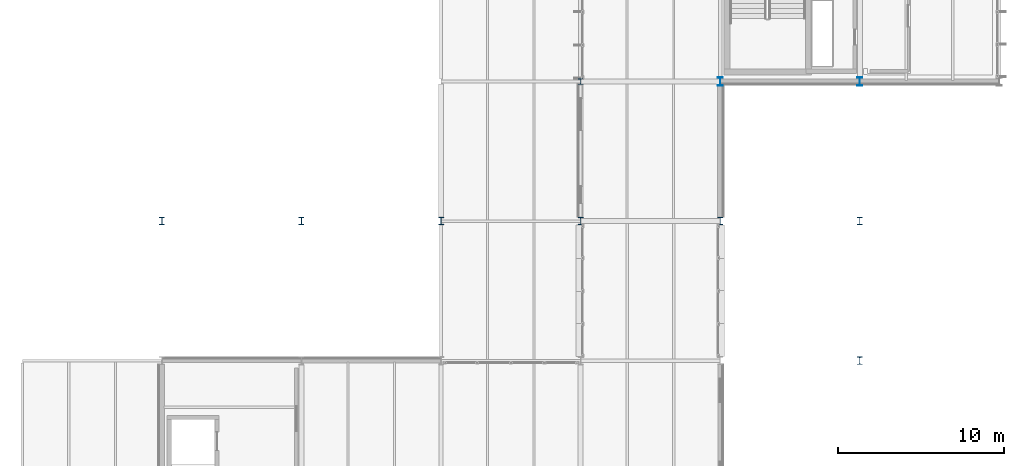
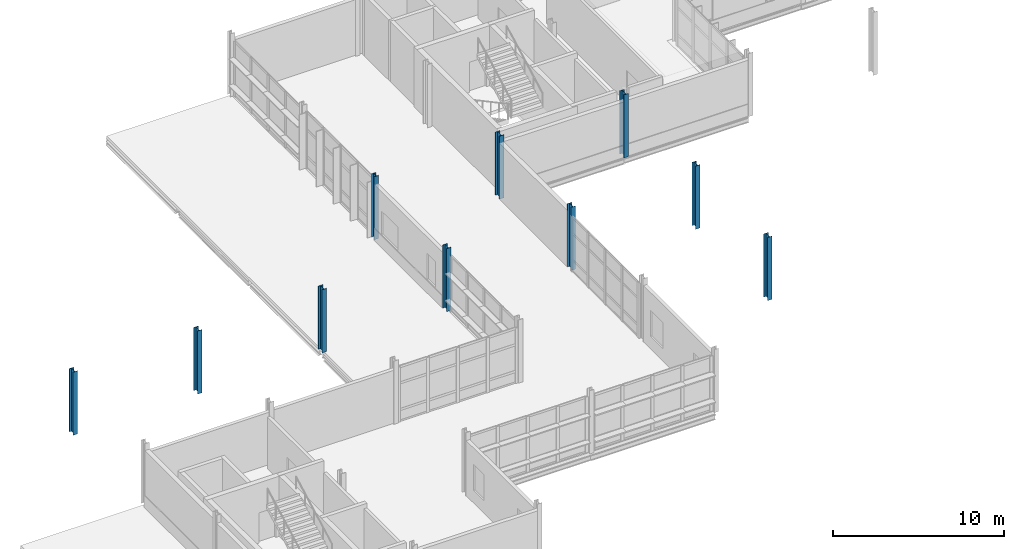
# One storey, part 9 of 129: 10 columns.
"""IFC4 building model written with IfcOpenShell, lengths in metres."""

from ifc_helpers import new_model, si_unit, direction, frame, origin, origin_2d, place, context, subcontext, project, spatial, i_section, extrude, material, material_profile, profile_set, type_object, element, save


model = new_model("IFC4")

# Units and contexts
model_context = context("Model", 3, precision=1e-05, world=origin(), true_north=direction((0.0, 1.0)))
body_context = subcontext(model_context, "Body", "Model", "MODEL_VIEW")
ifc_project = project(units=[si_unit("LENGTHUNIT", "METRE"), si_unit("AREAUNIT", "SQUARE_METRE"), si_unit("VOLUMEUNIT", "CUBIC_METRE"), si_unit("PLANEANGLEUNIT", "RADIAN"), si_unit("MASSUNIT", "GRAM", prefix="KILO")], contexts=[model_context])

# Site, building, storey
site_placement = place(None, origin())
site = spatial("IfcSite", under=ifc_project, at=site_placement, CompositionType="ELEMENT")
building_placement = place(site_placement, origin())
building = spatial("IfcBuilding", under=site, at=building_placement, Name="Mersafa Astral City Hall", CompositionType="ELEMENT")
storey_placement = place(building_placement, frame((0.0, 0.0, 5.39990234375)))
storey = spatial("IfcBuildingStorey", under=building, at=storey_placement, Name="L01", CompositionType="ELEMENT", Elevation=5.39990234375)

# Columns
ifc_material = material(Name="Steel S355", Category="steel")
ifc_material_profile_1 = material_profile(ifc_material, i_section(OverallWidth=0.300048828125, OverallDepth=0.340087890625, WebThickness=0.011962890625, FlangeThickness=0.021484375, FilletRadius=0.027099609375, at=origin_2d()), Name="HEB 340")
ifc_profile_set_1 = profile_set([ifc_material_profile_1], Name="Steel S355")
column_type_1 = type_object("IfcColumnType", Name="STR-COL-HEB340", PredefinedType="COLUMN", material=ifc_profile_set_1)
column_placement = place(storey_placement, frame((33.60009765625, 109.199951171875, 0.0), z_axis=(0.0, 0.0, 1.0), x_axis=(1.0, 0.0, 0.0)))
element("IfcColumn", 1, at=column_placement, inside=storey, type_object=column_type_1, Name="L01 Structural column G-04-13", PredefinedType="COLUMN", context=body_context, shape_type="SweptSolid", body=[
    extrude(i_section(OverallWidth=0.300048828125, OverallDepth=0.340087890625, WebThickness=0.011962890625, FlangeThickness=0.021484375, FilletRadius=0.027099609375, at=origin_2d()), origin(), (0.0, 0.0, 1.0), 4.5),
])
ifc_material_profile_2 = material_profile(ifc_material, i_section(OverallWidth=0.300048828125, OverallDepth=0.449951171875, WebThickness=0.013916015625, FlangeThickness=0.02587890625, FilletRadius=0.027099609375, at=origin_2d()), Name="HEB 450")
ifc_profile_set_2 = profile_set([ifc_material_profile_2], Name="Steel S355")
column_type_2 = type_object("IfcColumnType", Name="STR-COL-HEB450", PredefinedType="COLUMN", material=ifc_profile_set_2)
for number, where, z_axis, x_axis, name in (
    (2, (8.39990234375, 100.800048828125, 0.0), (0.0, 0.0, 1.0), (1.0, 0.0, 0.0), "L01 Structural column G-01-12"),
    (3, (16.800048828125, 100.800048828125, 0.0), (0.0, 0.0, 1.0), (1.0, 0.0, 0.0), "L01 Structural column G-02-12"),
    (4, (25.199951171875, 100.800048828125, 0.0), (0.0, 0.0, 1.0), (1.0, 0.0, 0.0), "L01 Structural column G-03-12"),
    (5, (33.60009765625, 100.800048828125, 0.0), (0.0, 0.0, 1.0), (1.0, 0.0, 0.0), "L01 Structural column G-04-12"),
    (6, (42.0, 100.800048828125, 0.0), (0.0, 0.0, 1.0), (1.0, 0.0, 0.0), "L01 Structural column G-05-12"),
    (7, (50.39990234375, 92.39990234375, 0.0), (0.0, 0.0, 1.0), (1.0, 0.0, 0.0), "L01 Structural column G-06-11"),
    (8, (50.39990234375, 100.800048828125, 0.0), (0.0, 0.0, 1.0), (1.0, 0.0, 0.0), "L01 Structural column G-06-12"),
):
    element("IfcColumn", number, at=place(storey_placement, frame(where, z_axis=z_axis, x_axis=x_axis)), inside=storey, type_object=column_type_2, Name=name, PredefinedType="COLUMN", context=body_context, shape_type="SweptSolid", body=[
        extrude(i_section(OverallWidth=0.300048828125, OverallDepth=0.449951171875, WebThickness=0.013916015625, FlangeThickness=0.02587890625, FilletRadius=0.027099609375, at=origin_2d()), origin(), (0.0, 0.0, 1.0), 4.5),
    ])
ifc_material_profile_3 = material_profile(ifc_material, i_section(OverallWidth=0.300048828125, OverallDepth=0.5, WebThickness=0.014404296875, FlangeThickness=0.028076171875, FilletRadius=0.027099609375, at=origin_2d()), Name="HEB 500")
ifc_profile_set_3 = profile_set([ifc_material_profile_3], Name="Steel S355")
column_type_3 = type_object("IfcColumnType", Name="STR-COL-HEB500", PredefinedType="COLUMN", material=ifc_profile_set_3)
for number, where, z_axis, x_axis, name in (
    (9, (42.0, 109.199951171875, 0.0), (0.0, 0.0, 1.0), (1.0, 0.0, 0.0), "L01 Structural column G-05-13"),
    (10, (50.39990234375, 109.199951171875, 0.0), (0.0, 0.0, 1.0), (1.0, 0.0, 0.0), "L01 Structural column G-06-13"),
):
    element("IfcColumn", number, at=place(storey_placement, frame(where, z_axis=z_axis, x_axis=x_axis)), inside=storey, type_object=column_type_3, Name=name, PredefinedType="COLUMN", context=body_context, shape_type="SweptSolid", body=[
        extrude(i_section(OverallWidth=0.300048828125, OverallDepth=0.5, WebThickness=0.014404296875, FlangeThickness=0.028076171875, FilletRadius=0.027099609375, at=origin_2d()), origin(), (0.0, 0.0, 1.0), 4.5),
    ])

save(model, "model.ifc")
